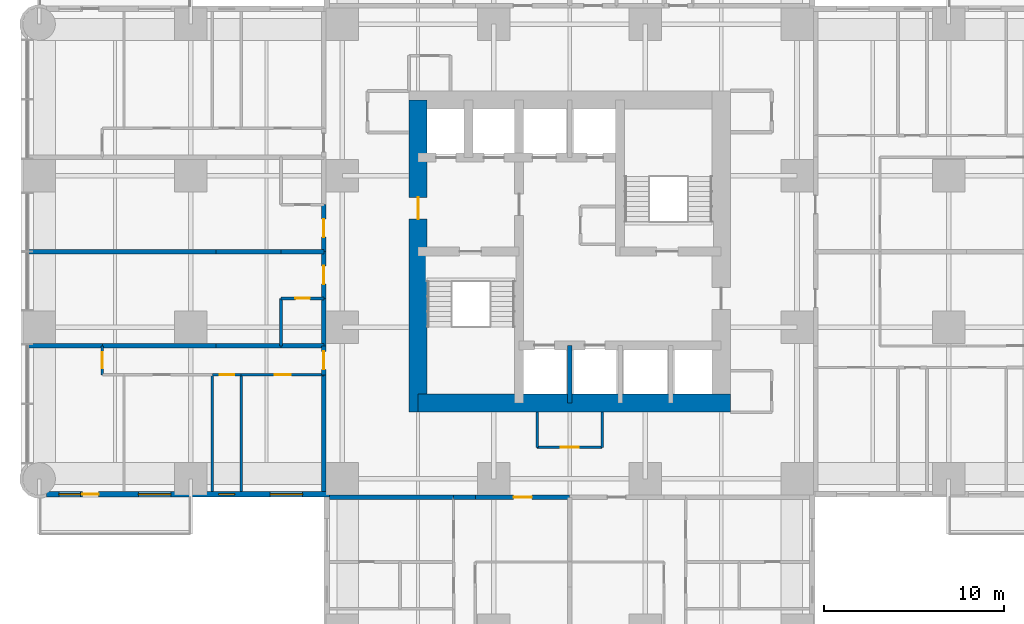
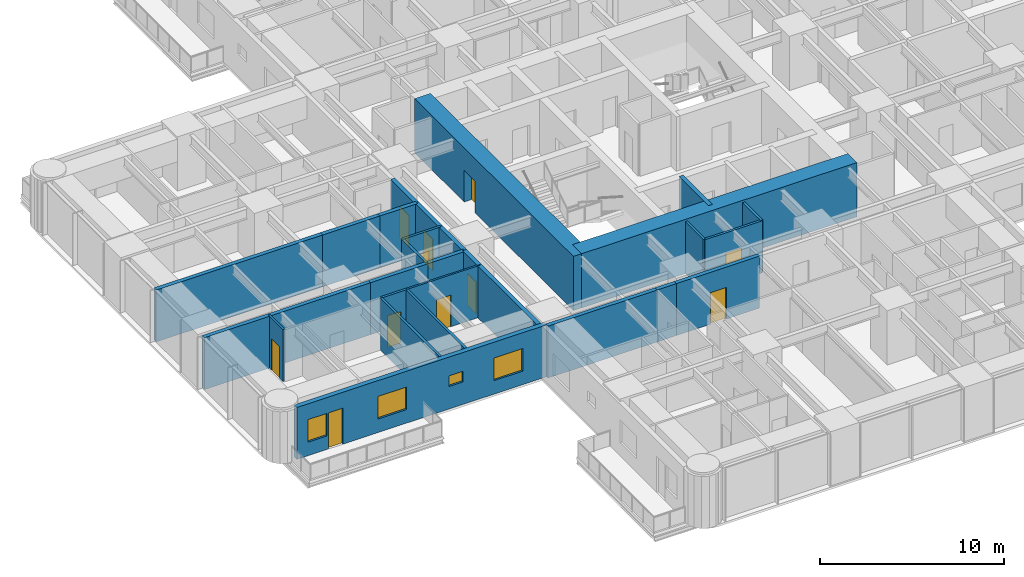
# One storey, part 8 of 17: 29 walls, 11 doors, 4 windows, 15 openings.
"""IFC4 building model written with IfcOpenShell, lengths in metres."""

from ifc_helpers import new_model, si_unit, direction, frame, frame_2d, origin, place, context, subcontext, project, spatial, rectangle, extrude, material, layer, layer_set, type_object, element, fill, save


model = new_model("IFC4")

# Units and contexts
model_context = context("Model", 3, precision=1e-05, world=origin(), true_north=direction((0.0, 1.0)))
body_context = subcontext(model_context, "Body", "Model", "MODEL_VIEW")
ifc_project = project(units=[si_unit("LENGTHUNIT", "METRE"), si_unit("AREAUNIT", "SQUARE_METRE"), si_unit("VOLUMEUNIT", "CUBIC_METRE"), si_unit("PLANEANGLEUNIT", "RADIAN"), si_unit("MASSUNIT", "GRAM", prefix="KILO")], contexts=[model_context])

# Site, building, storey
site_placement = place(None, origin())
site = spatial("IfcSite", under=ifc_project, at=site_placement, CompositionType="ELEMENT")
building_placement = place(site_placement, origin())
building = spatial("IfcBuilding", under=site, at=building_placement, Name="Torre Alcanfor", CompositionType="ELEMENT")
storey_placement = place(building_placement, frame((0.0, 0.0, 63.300048828125)))
storey = spatial("IfcBuildingStorey", under=building, at=storey_placement, Name="L15", CompositionType="ELEMENT", Elevation=63.300048828125)

# Wall, opening, door
ifc_material_1 = material(Name="Concrete block masonry, hollow blocks NMX-C-404 9 MPa", Category="masonry")
ifc_layer_1 = layer(ifc_material_1, 0.25)
ifc_layer_set_1 = layer_set([ifc_layer_1], Name="Apartment entrance wall 250 EI 60")
wall_type_1 = type_object("IfcWallType", Name="Apartment entrance wall 250 EI 60", PredefinedType="PARTITIONING", material=ifc_layer_set_1)
wall_1_placement = place(storey_placement, frame((29.39990234375, 15.77490234375, 0.0), z_axis=(0.0, 0.0, 1.0), x_axis=(-1.0, 0.0, 0.0)))
wall_1 = element("IfcWall", 1, at=wall_1_placement, inside=storey, type_object=wall_type_1, Name="Partition L15-CORR / L15-S2-ZAG", PredefinedType="PARTITIONING", context=body_context, shape_type="SweptSolid", body=[
    extrude(rectangle(XDim=5.22900390625, YDim=0.25, at=frame_2d((2.614501953125, 0.0))), origin(), (0.0, 0.0, 1.0), 3.449951171875),
])
opening_1_placement = place(wall_1_placement, frame((2.10009765625, 0.0, 0.0)))
opening_1 = element("IfcOpeningElement", 2, at=opening_1_placement, cuts=wall_1, Name="Opening D-A1", PredefinedType="OPENING", context=body_context, shape_type="SweptSolid", body=[
    extrude(rectangle(XDim=1.0, YDim=2.10009765625, at=frame_2d((0.5, 1.050048828125))), frame((0.0, 0.135009765625, 0.0), z_axis=(0.0, -1.0, 0.0), x_axis=(1.0, 0.0, 0.0)), (0.0, 0.0, 1.0), 0.27001953125),
])
ifc_material_2 = material(Name="Galvanised steel sheet ASTM A653", Category="steel")
door_type_1 = type_object("IfcDoorType", Name="Apartment entrance door FD60 1000x2100", OperationType="SINGLE_SWING_LEFT", PredefinedType="DOOR", material=ifc_material_2)
door_1_placement = place(opening_1_placement, origin())
door_1 = element("IfcDoor", 3, at=door_1_placement, inside=storey, type_object=door_type_1, Name="Apartment entrance L15-S2", OperationType="SINGLE_SWING_LEFT", OverallHeight=2.10009765625, OverallWidth=1.0, PredefinedType="DOOR", context=body_context, shape_type="SweptSolid", body=[
    extrude(rectangle(XDim=1.0, YDim=2.10009765625, at=frame_2d((0.5, 1.050048828125))), frame((0.0, 0.02490234375, 0.0), z_axis=(0.0, -1.0, 0.0), x_axis=(1.0, 0.0, 0.0)), (0.0, 0.0, 1.0), 0.050048828125),
])
fill(opening_1, door_1)

# Walls
wall_2_placement = place(storey_placement, frame((24.1708984375, 15.77490234375, 0.0), z_axis=(0.0, 0.0, 1.0), x_axis=(-1.0, 0.0, 0.0)))
element("IfcWall", 4, at=wall_2_placement, inside=storey, type_object=wall_type_1, Name="Partition L15-CORR / L15-S2-HALL", PredefinedType="PARTITIONING", context=body_context, shape_type="SweptSolid", body=[
    extrude(rectangle(XDim=1.199951171875, YDim=0.25, at=frame_2d((0.60009765625, 0.0))), origin(), (0.0, 0.0, 1.0), 3.449951171875),
])
wall_3_placement = place(storey_placement, frame((22.970947265625, 15.77490234375, 0.0), z_axis=(0.0, 0.0, 1.0), x_axis=(-1.0, 0.0, 0.0)))
element("IfcWall", 5, at=wall_3_placement, inside=storey, type_object=wall_type_1, Name="Partition L15-CORR / L15-S2-SERV", PredefinedType="PARTITIONING", context=body_context, shape_type="SweptSolid", body=[
    extrude(rectangle(XDim=6.870849609375, YDim=0.25, at=frame_2d((3.435546875, 0.0))), origin(), (0.0, 0.0, 1.0), 3.449951171875),
])

# Wall, opening, door
wall_4_placement = place(storey_placement, frame((15.77490234375, 26.800048828125, 0.0), z_axis=(0.0, 0.0, 1.0), x_axis=(0.0, 1.0, 0.0)))
wall_4 = element("IfcWall", 6, at=wall_4_placement, inside=storey, type_object=wall_type_1, Name="Partition L15-CORR / L15-W1A-FOYER", PredefinedType="PARTITIONING", context=body_context, shape_type="SweptSolid", body=[
    extrude(rectangle(XDim=2.599853515625, YDim=0.25, at=frame_2d((1.2998046875, 0.0))), origin(), (0.0, 0.0, 1.0), 3.449951171875),
])
opening_2_placement = place(wall_4_placement, frame((0.800048828125, 0.0, 0.0)))
opening_2 = element("IfcOpeningElement", 7, at=opening_2_placement, cuts=wall_4, Name="Opening D-A1", PredefinedType="OPENING", context=body_context, shape_type="SweptSolid", body=[
    extrude(rectangle(XDim=1.0, YDim=2.10009765625, at=frame_2d((0.5, 1.050048828125))), frame((0.0, 0.135009765625, 0.0), z_axis=(0.0, -1.0, 0.0), x_axis=(1.0, 0.0, 0.0)), (0.0, 0.0, 1.0), 0.27001953125),
])
door_2_placement = place(opening_2_placement, origin())
door_2 = element("IfcDoor", 8, at=door_2_placement, inside=storey, type_object=door_type_1, Name="Apartment entrance L15-W1A", OperationType="SINGLE_SWING_LEFT", OverallHeight=2.10009765625, OverallWidth=1.0, PredefinedType="DOOR", context=body_context, shape_type="SweptSolid", body=[
    extrude(rectangle(XDim=1.0, YDim=2.10009765625, at=frame_2d((0.5, 1.050048828125))), frame((0.0, 0.02490234375, 0.0), z_axis=(0.0, -1.0, 0.0), x_axis=(1.0, 0.0, 0.0)), (0.0, 0.0, 1.0), 0.050048828125),
])
fill(opening_2, door_2)

# Wall
wall_5_placement = place(storey_placement, frame((15.77490234375, 24.1708984375, 0.0), z_axis=(0.0, 0.0, 1.0), x_axis=(0.0, 1.0, 0.0)))
element("IfcWall", 9, at=wall_5_placement, inside=storey, type_object=wall_type_1, Name="Partition L15-CORR / L15-W1A-BATH", PredefinedType="PARTITIONING", context=body_context, shape_type="SweptSolid", body=[
    extrude(rectangle(XDim=2.629150390625, YDim=0.25, at=frame_2d((1.314453125, 0.0))), origin(), (0.0, 0.0, 1.0), 3.449951171875),
])

# Wall, opening, door
wall_6_placement = place(storey_placement, frame((15.77490234375, 22.571044921875, 0.0), z_axis=(0.0, 0.0, 1.0), x_axis=(0.0, 1.0, 0.0)))
wall_6 = element("IfcWall", 10, at=wall_6_placement, inside=storey, type_object=wall_type_1, Name="Partition L15-CORR / L15-W1B-HALL", PredefinedType="PARTITIONING", context=body_context, shape_type="SweptSolid", body=[
    extrude(rectangle(XDim=1.599853515625, YDim=0.25, at=frame_2d((0.7998046875, 0.0))), origin(), (0.0, 0.0, 1.0), 3.449951171875),
])
opening_3_placement = place(wall_6_placement, frame((0.300048828125, 0.0, 0.0)))
opening_3 = element("IfcOpeningElement", 11, at=opening_3_placement, cuts=wall_6, Name="Opening D-A1", PredefinedType="OPENING", context=body_context, shape_type="SweptSolid", body=[
    extrude(rectangle(XDim=1.0, YDim=2.10009765625, at=frame_2d((0.5, 1.050048828125))), frame((0.0, 0.135009765625, 0.0), z_axis=(0.0, -1.0, 0.0), x_axis=(1.0, 0.0, 0.0)), (0.0, 0.0, 1.0), 0.27001953125),
])
door_3_placement = place(opening_3_placement, origin())
door_3 = element("IfcDoor", 12, at=door_3_placement, inside=storey, type_object=door_type_1, Name="Apartment entrance L15-W1B", OperationType="SINGLE_SWING_LEFT", OverallHeight=2.10009765625, OverallWidth=1.0, PredefinedType="DOOR", context=body_context, shape_type="SweptSolid", body=[
    extrude(rectangle(XDim=1.0, YDim=2.10009765625, at=frame_2d((0.5, 1.050048828125))), frame((0.0, 0.02490234375, 0.0), z_axis=(0.0, -1.0, 0.0), x_axis=(1.0, 0.0, 0.0)), (0.0, 0.0, 1.0), 0.050048828125),
])
fill(opening_3, door_3)

# Wall
wall_7_placement = place(storey_placement, frame((15.77490234375, 16.10009765625, 0.0), z_axis=(0.0, 0.0, 1.0), x_axis=(0.0, 1.0, 0.0)))
element("IfcWall", 13, at=wall_7_placement, inside=storey, type_object=wall_type_1, Name="Partition L15-CORR / L15-W1B-BED2", PredefinedType="PARTITIONING", context=body_context, shape_type="SweptSolid", body=[
    extrude(rectangle(XDim=6.470947265625, YDim=0.25, at=frame_2d((3.2353515625, 0.0))), origin(), (0.0, 0.0, 1.0), 3.449951171875),
])

# Wall, opening, door
wall_8_placement = place(storey_placement, frame((15.77490234375, 29.39990234375, 0.0), z_axis=(0.0, 0.0, 1.0), x_axis=(0.0, 1.0, 0.0)))
wall_8 = element("IfcWall", 14, at=wall_8_placement, inside=storey, type_object=wall_type_1, Name="Partition L15-CORR / L15-W2A-FOYER", PredefinedType="PARTITIONING", context=body_context, shape_type="SweptSolid", body=[
    extrude(rectangle(XDim=2.60009765625, YDim=0.25, at=frame_2d((1.300048828125, 0.0))), origin(), (0.0, 0.0, 1.0), 3.449951171875),
])
opening_4_placement = place(wall_8_placement, frame((0.800048828125, 0.0, 0.0)))
opening_4 = element("IfcOpeningElement", 15, at=opening_4_placement, cuts=wall_8, Name="Opening D-A1", PredefinedType="OPENING", context=body_context, shape_type="SweptSolid", body=[
    extrude(rectangle(XDim=1.0, YDim=2.10009765625, at=frame_2d((0.5, 1.050048828125))), frame((0.0, 0.135009765625, 0.0), z_axis=(0.0, -1.0, 0.0), x_axis=(1.0, 0.0, 0.0)), (0.0, 0.0, 1.0), 0.27001953125),
])
door_4_placement = place(opening_4_placement, origin())
door_4 = element("IfcDoor", 16, at=door_4_placement, inside=storey, type_object=door_type_1, Name="Apartment entrance L15-W2A", OperationType="SINGLE_SWING_LEFT", OverallHeight=2.10009765625, OverallWidth=1.0, PredefinedType="DOOR", context=body_context, shape_type="SweptSolid", body=[
    extrude(rectangle(XDim=1.0, YDim=2.10009765625, at=frame_2d((0.5, 1.050048828125))), frame((0.0, 0.02490234375, 0.0), z_axis=(0.0, -1.0, 0.0), x_axis=(1.0, 0.0, 0.0)), (0.0, 0.0, 1.0), 0.050048828125),
])
fill(opening_4, door_4)

ifc_material_3 = material(Name="Gypsum board on steel studs", Category="steel")
ifc_layer_2 = layer(ifc_material_3, 0.1201171875)
ifc_layer_set_2 = layer_set([ifc_layer_2], Name="Apartment partition 120")
wall_type_2 = type_object("IfcWallType", Name="Apartment partition 120", PredefinedType="PARTITIONING", material=ifc_layer_set_2)
wall_9_placement = place(storey_placement, frame((11.199951171875, 22.571044921875, 0.0), z_axis=(0.0, 0.0, 1.0), x_axis=(1.0, 0.0, 0.0)))
wall_9 = element("IfcWall", 17, at=wall_9_placement, inside=storey, type_object=wall_type_2, Name="Partition L15-W1B-HALL / L15-W1B-BED2", PredefinedType="PARTITIONING", context=body_context, shape_type="SweptSolid", body=[
    extrude(rectangle(XDim=4.574951171875, YDim=0.1201171875, at=frame_2d((2.28759765625, 0.0))), origin(), (0.0, 0.0, 1.0), 3.449951171875),
])
opening_5_placement = place(wall_9_placement, frame((1.85009765625, 0.0, 0.0)))
opening_5 = element("IfcOpeningElement", 18, at=opening_5_placement, cuts=wall_9, Name="Opening D-R1", PredefinedType="OPENING", context=body_context, shape_type="SweptSolid", body=[
    extrude(rectangle(XDim=0.89990234375, YDim=2.10009765625, at=frame_2d((0.449951171875, 1.050048828125))), frame((0.0, 0.070068359375, 0.0), z_axis=(0.0, -1.0, 0.0), x_axis=(1.0, 0.0, 0.0)), (0.0, 0.0, 1.0), 0.14013671875),
])
ifc_material_4 = material(Name="Timber", Category="wood")
door_type_2 = type_object("IfcDoorType", Name="Internal door 900x2100", OperationType="SINGLE_SWING_LEFT", PredefinedType="DOOR", material=ifc_material_4)
door_5_placement = place(opening_5_placement, frame((0.89990234375, 0.0, 0.0), z_axis=(0.0, 0.0, 1.0), x_axis=(-1.0, 0.0, 0.0)))
door_5 = element("IfcDoor", 19, at=door_5_placement, inside=storey, type_object=door_type_2, Name="Door L15-W1B bed2", OperationType="SINGLE_SWING_LEFT", OverallHeight=2.10009765625, OverallWidth=0.89990234375, PredefinedType="DOOR", context=body_context, shape_type="SweptSolid", body=[
    extrude(rectangle(XDim=0.89990234375, YDim=2.10009765625, at=frame_2d((0.449951171875, 1.050048828125))), frame((0.0, 0.025146484375, 0.0), z_axis=(0.0, -1.0, 0.0), x_axis=(1.0, 0.0, 0.0)), (0.0, 0.0, 1.0), 0.050048828125),
])
fill(opening_5, door_5)

wall_10_placement = place(storey_placement, frame((3.5, 24.1708984375, 0.0), z_axis=(0.0, 0.0, 1.0), x_axis=(0.0, -1.0, 0.0)))
wall_10 = element("IfcWall", 20, at=wall_10_placement, inside=storey, type_object=wall_type_2, Name="Partition L15-W1B-HALL / L15-W1B-LIVING", PredefinedType="PARTITIONING", context=body_context, shape_type="SweptSolid", body=[
    extrude(rectangle(XDim=1.599853515625, YDim=0.1201171875, at=frame_2d((0.7998046875, 0.0))), origin(), (0.0, 0.0, 1.0), 3.449951171875),
])
opening_6_placement = place(wall_10_placement, frame((0.35009765625, 0.0, 0.0)))
opening_6 = element("IfcOpeningElement", 21, at=opening_6_placement, cuts=wall_10, Name="Opening D-R1", PredefinedType="OPENING", context=body_context, shape_type="SweptSolid", body=[
    extrude(rectangle(XDim=0.89990234375, YDim=2.10009765625, at=frame_2d((0.449951171875, 1.050048828125))), frame((0.0, 0.070068359375, 0.0), z_axis=(0.0, -1.0, 0.0), x_axis=(1.0, 0.0, 0.0)), (0.0, 0.0, 1.0), 0.14013671875),
])
door_6_placement = place(opening_6_placement, frame((0.89990234375, 0.0, 0.0), z_axis=(0.0, 0.0, 1.0), x_axis=(-1.0, 0.0, 0.0)))
door_6 = element("IfcDoor", 22, at=door_6_placement, inside=storey, type_object=door_type_2, Name="Door L15-W1B living", OperationType="SINGLE_SWING_RIGHT", OverallHeight=2.10009765625, OverallWidth=0.89990234375, PredefinedType="DOOR", context=body_context, shape_type="SweptSolid", body=[
    extrude(rectangle(XDim=0.89990234375, YDim=2.10009765625, at=frame_2d((0.449951171875, 1.050048828125))), frame((0.0, 0.025146484375, 0.0), z_axis=(0.0, -1.0, 0.0), x_axis=(1.0, 0.0, 0.0)), (0.0, 0.0, 1.0), 0.050048828125),
])
fill(opening_6, door_6)

# Walls
ifc_material_5 = material(Name="Concrete f'c 70 MPa", Category="concrete")
ifc_layer_3 = layer(ifc_material_5, 0.25)
ifc_layer_set_3 = layer_set([ifc_layer_3], Name="Core shaft wall 250 f'c70")
wall_type_3 = type_object("IfcWallType", Name="Core shaft wall 250 f'c70", PredefinedType="SHEAR", material=ifc_layer_set_3)
wall_11_placement = place(storey_placement, frame((29.39990234375, 21.0, 0.0), z_axis=(0.0, 0.0, 1.0), x_axis=(0.0, 1.0, 0.0)))
element("IfcWall", 23, at=wall_11_placement, inside=storey, type_object=wall_type_3, Name="Core wall X294S L15", PredefinedType="SHEAR", context=body_context, shape_type="SweptSolid", body=[
    extrude(rectangle(XDim=3.199951171875, YDim=0.25, at=frame_2d((1.60009765625, 0.0))), origin(), (0.0, 0.0, 1.0), 3.599853515625),
])
ifc_material_6 = material(Name="Concrete f'c 70 MPa", Category="concrete")
ifc_layer_4 = layer(ifc_material_6, 1.0)
ifc_layer_set_4 = layer_set([ifc_layer_4], Name="Core wall 1000 f'c70")
wall_type_4 = type_object("IfcWallType", Name="Core wall 1000 f'c70", PredefinedType="SHEAR", material=ifc_layer_set_4)
wall_12_placement = place(storey_placement, frame((21.0, 21.0, 0.0), z_axis=(0.0, 0.0, 1.0), x_axis=(1.0, 0.0, 0.0)))
element("IfcWall", 24, at=wall_12_placement, inside=storey, type_object=wall_type_4, Name="Core wall OUT-S L15", PredefinedType="SHEAR", context=body_context, shape_type="SweptSolid", body=[
    extrude(rectangle(XDim=17.300048828125, YDim=1.0, at=frame_2d((8.64990234375, 0.0))), origin(), (0.0, 0.0, 1.0), 3.599853515625),
])

# Wall, opening, door
wall_13_placement = place(storey_placement, frame((21.0, 37.800048828125, 0.0), z_axis=(0.0, 0.0, 1.0), x_axis=(0.0, -1.0, 0.0)))
wall_13 = element("IfcWall", 25, at=wall_13_placement, inside=storey, type_object=wall_type_4, Name="Core wall OUT-W L15", PredefinedType="SHEAR", context=body_context, shape_type="SweptSolid", body=[
    extrude(rectangle(XDim=17.300048828125, YDim=1.0, at=frame_2d((8.64990234375, 0.0))), origin(), (0.0, 0.0, 1.0), 3.599853515625),
])
opening_7_placement = place(wall_13_placement, frame((5.39990234375, 0.0, 0.0)))
opening_7 = element("IfcOpeningElement", 26, at=opening_7_placement, cuts=wall_13, Name="Opening D-L1", PredefinedType="OPENING", context=body_context, shape_type="SweptSolid", body=[
    extrude(rectangle(XDim=1.199951171875, YDim=2.10009765625, at=frame_2d((0.60009765625, 1.050048828125))), frame((0.0, 0.510009765625, 0.0), z_axis=(0.0, -1.0, 0.0), x_axis=(1.0, 0.0, 0.0)), (0.0, 0.0, 1.0), 1.02001953125),
])
ifc_material_7 = material(Name="Galvanised steel sheet ASTM A653", Category="steel")
door_type_3 = type_object("IfcDoorType", Name="Lobby door FD120 1200x2100", OperationType="SINGLE_SWING_LEFT", PredefinedType="DOOR", material=ifc_material_7)
door_7_placement = place(opening_7_placement, origin())
door_7 = element("IfcDoor", 27, at=door_7_placement, inside=storey, type_object=door_type_3, Name="Firefighting lobby door L15", OperationType="SINGLE_SWING_LEFT", OverallHeight=2.10009765625, OverallWidth=1.199951171875, PredefinedType="DOOR", context=body_context, shape_type="SweptSolid", body=[
    extrude(rectangle(XDim=1.199951171875, YDim=2.10009765625, at=frame_2d((0.60009765625, 1.050048828125))), frame((0.0, 0.02490234375, 0.0), z_axis=(0.0, -1.0, 0.0), x_axis=(1.0, 0.0, 0.0)), (0.0, 0.0, 1.0), 0.050048828125),
])
fill(opening_7, door_7)

# Wall, openings, door, windows
ifc_material_8 = material(Name="Limestone cladding", Category="masonry")
ifc_layer_5 = layer(ifc_material_8, 0.0400390625, Name="Facing")
ifc_material_9 = material(Name="Ventilated air cavity")
ifc_layer_6 = layer(ifc_material_9, 0.02001953125, ventilated=True, Name="Ventilated joint")
ifc_material_10 = material(Name="Mineral wool insulation", Category="insulation")
ifc_layer_7 = layer(ifc_material_10, 0.10009765625, Name="Insulation")
ifc_material_11 = material(Name="Concrete f'c 35 MPa", Category="concrete")
ifc_layer_8 = layer(ifc_material_11, 0.139892578125, Name="Backing")
ifc_layer_set_5 = layer_set([ifc_layer_5, ifc_layer_6, ifc_layer_7, ifc_layer_8], Name="External wall stone-clad 300")
wall_type_5 = type_object("IfcWallType", Name="External wall stone-clad 300", PredefinedType="SOLIDWALL", material=ifc_layer_set_5)
wall_14_placement = place(storey_placement, frame((0.39990234375, 15.949951171875, 0.0), z_axis=(0.0, 0.0, 1.0), x_axis=(1.0, 0.0, 0.0)))
wall_14 = element("IfcWall", 28, at=wall_14_placement, inside=storey, type_object=wall_type_5, Name="External wall L15 3", PredefinedType="SOLIDWALL", context=body_context, shape_type="SweptSolid", body=[
    extrude(rectangle(XDim=15.7001953125, YDim=0.300048828125, at=frame_2d((7.85009765625, 0.0))), origin(), (0.0, 0.0, 1.0), 3.449951171875),
])
opening_8_placement = place(wall_14_placement, frame((12.39990234375, 0.0, 0.89990234375)))
opening_8 = element("IfcOpeningElement", 29, at=opening_8_placement, cuts=wall_14, Name="Opening W2", PredefinedType="OPENING", context=body_context, shape_type="SweptSolid", body=[
    extrude(rectangle(XDim=1.800048828125, YDim=1.5, at=frame_2d((0.89990234375, 0.75))), frame((0.0, 0.159912109375, 0.0), z_axis=(0.0, -1.0, 0.0), x_axis=(1.0, 0.0, 0.0)), (0.0, 0.0, 1.0), 0.320068359375),
])
opening_9_placement = place(wall_14_placement, frame((9.550048828125, 0.0, 1.5)))
opening_9 = element("IfcOpeningElement", 30, at=opening_9_placement, cuts=wall_14, Name="Opening W3", PredefinedType="OPENING", context=body_context, shape_type="SweptSolid", body=[
    extrude(rectangle(XDim=0.89990234375, YDim=0.699951171875, at=frame_2d((0.449951171875, 0.35009765625))), frame((0.0, 0.159912109375, 0.0), z_axis=(0.0, -1.0, 0.0), x_axis=(1.0, 0.0, 0.0)), (0.0, 0.0, 1.0), 0.320068359375),
])
opening_10_placement = place(wall_14_placement, frame((5.10009765625, 0.0, 0.89990234375)))
opening_10 = element("IfcOpeningElement", 31, at=opening_10_placement, cuts=wall_14, Name="Opening W2", PredefinedType="OPENING", context=body_context, shape_type="SweptSolid", body=[
    extrude(rectangle(XDim=1.800048828125, YDim=1.5, at=frame_2d((0.89990234375, 0.75))), frame((0.0, 0.159912109375, 0.0), z_axis=(0.0, -1.0, 0.0), x_axis=(1.0, 0.0, 0.0)), (0.0, 0.0, 1.0), 0.320068359375),
])
opening_11_placement = place(wall_14_placement, frame((2.0, 0.0, 0.0)))
opening_11 = element("IfcOpeningElement", 32, at=opening_11_placement, cuts=wall_14, Name="Opening D-B1", PredefinedType="OPENING", context=body_context, shape_type="SweptSolid", body=[
    extrude(rectangle(XDim=0.89990234375, YDim=2.39990234375, at=frame_2d((0.449951171875, 1.199951171875))), frame((0.0, 0.159912109375, 0.0), z_axis=(0.0, -1.0, 0.0), x_axis=(1.0, 0.0, 0.0)), (0.0, 0.0, 1.0), 0.320068359375),
])
opening_12_placement = place(wall_14_placement, frame((0.699951171875, 0.0, 0.89990234375)))
opening_12 = element("IfcOpeningElement", 33, at=opening_12_placement, cuts=wall_14, Name="Opening W4", PredefinedType="OPENING", context=body_context, shape_type="SweptSolid", body=[
    extrude(rectangle(XDim=1.199951171875, YDim=1.5, at=frame_2d((0.60009765625, 0.75))), frame((0.0, 0.159912109375, 0.0), z_axis=(0.0, -1.0, 0.0), x_axis=(1.0, 0.0, 0.0)), (0.0, 0.0, 1.0), 0.320068359375),
])
ifc_material_12 = material(Name="Aluminium and glass", Category="aluminium")
door_type_4 = type_object("IfcDoorType", Name="Balcony door glazed 900x2400", OperationType="SINGLE_SWING_LEFT", PredefinedType="DOOR", material=ifc_material_12)
door_8_placement = place(opening_11_placement, origin())
door_8 = element("IfcDoor", 34, at=door_8_placement, inside=storey, type_object=door_type_4, Name="Balcony door L15-W1", OperationType="SINGLE_SWING_RIGHT", OverallHeight=2.39990234375, OverallWidth=0.89990234375, PredefinedType="DOOR", context=body_context, shape_type="SweptSolid", body=[
    extrude(rectangle(XDim=0.89990234375, YDim=2.39990234375, at=frame_2d((0.449951171875, 1.199951171875))), frame((0.0, 0.02490234375, 0.0), z_axis=(0.0, -1.0, 0.0), x_axis=(1.0, 0.0, 0.0)), (0.0, 0.0, 1.0), 0.050048828125),
])
fill(opening_11, door_8)
ifc_material_13 = material(Name="Aluminium frame with clear double glazing", Category="aluminium")
window_type_1 = type_object("IfcWindowType", Name="Window bathroom 900x700", PartitioningType="SINGLE_PANEL", PredefinedType="WINDOW", material=ifc_material_13)
window_1_placement = place(opening_9_placement, origin())
window_1 = element("IfcWindow", 35, at=window_1_placement, inside=storey, type_object=window_type_1, Name="Window W3 L15-W1", OverallHeight=0.699951171875, OverallWidth=0.89990234375, PartitioningType="SINGLE_PANEL", PredefinedType="WINDOW", context=body_context, shape_type="SweptSolid", body=[
    extrude(rectangle(XDim=0.89990234375, YDim=0.699951171875, at=frame_2d((0.449951171875, 0.35009765625))), frame((0.0, 0.030029296875, 0.0), z_axis=(0.0, -1.0, 0.0), x_axis=(1.0, 0.0, 0.0)), (0.0, 0.0, 1.0), 0.06005859375),
])
fill(opening_9, window_1)
ifc_material_14 = material(Name="Aluminium frame with clear double glazing", Category="aluminium")
window_type_2 = type_object("IfcWindowType", Name="Window bedroom 1200x1500", PartitioningType="SINGLE_PANEL", PredefinedType="WINDOW", material=ifc_material_14)
window_2_placement = place(opening_12_placement, origin())
window_2 = element("IfcWindow", 36, at=window_2_placement, inside=storey, type_object=window_type_2, Name="Window W4 L15-W1", OverallHeight=1.5, OverallWidth=1.199951171875, PartitioningType="SINGLE_PANEL", PredefinedType="WINDOW", context=body_context, shape_type="SweptSolid", body=[
    extrude(rectangle(XDim=1.199951171875, YDim=1.5, at=frame_2d((0.60009765625, 0.75))), frame((0.0, 0.030029296875, 0.0), z_axis=(0.0, -1.0, 0.0), x_axis=(1.0, 0.0, 0.0)), (0.0, 0.0, 1.0), 0.06005859375),
])
fill(opening_12, window_2)
ifc_material_15 = material(Name="Aluminium frame with clear double glazing", Category="aluminium")
window_type_3 = type_object("IfcWindowType", Name="Window bedroom 1800x1500", PartitioningType="SINGLE_PANEL", PredefinedType="WINDOW", material=ifc_material_15)
window_3_placement = place(opening_8_placement, origin())
window_3 = element("IfcWindow", 37, at=window_3_placement, inside=storey, type_object=window_type_3, Name="Window W2 L15-W1", OverallHeight=1.5, OverallWidth=1.800048828125, PartitioningType="SINGLE_PANEL", PredefinedType="WINDOW", context=body_context, shape_type="SweptSolid", body=[
    extrude(rectangle(XDim=1.800048828125, YDim=1.5, at=frame_2d((0.89990234375, 0.75))), frame((0.0, 0.030029296875, 0.0), z_axis=(0.0, -1.0, 0.0), x_axis=(1.0, 0.0, 0.0)), (0.0, 0.0, 1.0), 0.06005859375),
])
fill(opening_8, window_3)
window_4_placement = place(opening_10_placement, origin())
window_4 = element("IfcWindow", 38, at=window_4_placement, inside=storey, type_object=window_type_3, Name="Window W2 L15-W1", OverallHeight=1.5, OverallWidth=1.800048828125, PartitioningType="SINGLE_PANEL", PredefinedType="WINDOW", context=body_context, shape_type="SweptSolid", body=[
    extrude(rectangle(XDim=1.800048828125, YDim=1.5, at=frame_2d((0.89990234375, 0.75))), frame((0.0, 0.030029296875, 0.0), z_axis=(0.0, -1.0, 0.0), x_axis=(1.0, 0.0, 0.0)), (0.0, 0.0, 1.0), 0.06005859375),
])
fill(opening_10, window_4)

# Walls
ifc_material_16 = material(Name="Concrete block masonry, hollow blocks NMX-C-404 9 MPa", Category="masonry")
ifc_layer_9 = layer(ifc_material_16, 0.25)
ifc_layer_set_6 = layer_set([ifc_layer_9], Name="Party wall 250 EI 60")
wall_type_6 = type_object("IfcWallType", Name="Party wall 250 EI 60", PredefinedType="PARTITIONING", material=ifc_layer_set_6)
for number, where, z_axis, x_axis, name in (
    (39, (15.77490234375, 29.39990234375, 0.0), (0.0, 0.0, 1.0), (-1.0, 0.0, 0.0), "Partition L15-W1A-FOYER / L15-W2A-FOYER"),
    (40, (13.39990234375, 24.1708984375, 0.0), (0.0, 0.0, 1.0), (1.0, 0.0, 0.0), "Partition L15-W1A-BATH / L15-W1B-HALL"),
):
    element("IfcWall", number, at=place(storey_placement, frame(where, z_axis=z_axis, x_axis=x_axis)), inside=storey, type_object=wall_type_6, Name=name, PredefinedType="PARTITIONING", context=body_context, shape_type="SweptSolid", body=[
        extrude(rectangle(XDim=2.375, YDim=0.25, at=frame_2d((1.1875, 0.0))), origin(), (0.0, 0.0, 1.0), 3.449951171875),
    ])
for number, where, z_axis, x_axis, name in (
    (41, (9.800048828125, 24.1708984375, 0.0), (0.0, 0.0, 1.0), (1.0, 0.0, 0.0), "Partition L15-W1A-KITCHEN / L15-W1B-HALL"),
    (42, (13.39990234375, 29.39990234375, 0.0), (0.0, 0.0, 1.0), (-1.0, 0.0, 0.0), "Partition L15-W1A-KITCHEN / L15-W2A-KITCHEN"),
):
    element("IfcWall", number, at=place(storey_placement, frame(where, z_axis=z_axis, x_axis=x_axis)), inside=storey, type_object=wall_type_6, Name=name, PredefinedType="PARTITIONING", context=body_context, shape_type="SweptSolid", body=[
        extrude(rectangle(XDim=3.599853515625, YDim=0.25, at=frame_2d((1.7998046875, 0.0))), origin(), (0.0, 0.0, 1.0), 3.449951171875),
    ])
wall_15_placement = place(storey_placement, frame((3.5, 24.1708984375, 0.0), z_axis=(0.0, 0.0, 1.0), x_axis=(1.0, 0.0, 0.0)))
element("IfcWall", 43, at=wall_15_placement, inside=storey, type_object=wall_type_6, Name="Partition L15-W1A-STUDIO / L15-W1B-HALL", PredefinedType="PARTITIONING", context=body_context, shape_type="SweptSolid", body=[
    extrude(rectangle(XDim=6.300048828125, YDim=0.25, at=frame_2d((3.14990234375, 0.0))), origin(), (0.0, 0.0, 1.0), 3.449951171875),
])
wall_16_placement = place(storey_placement, frame((-0.64990234375, 24.1708984375, 0.0), z_axis=(0.0, 0.0, 1.0), x_axis=(1.0, 0.0, 0.0)))
element("IfcWall", 44, at=wall_16_placement, inside=storey, type_object=wall_type_6, Name="Partition L15-W1A-STUDIO / L15-W1B-LIVING", PredefinedType="PARTITIONING", context=body_context, shape_type="SweptSolid", body=[
    extrude(rectangle(XDim=4.14990234375, YDim=0.25, at=frame_2d((2.074951171875, 0.0))), origin(), (0.0, 0.0, 1.0), 3.449951171875),
])
wall_17_placement = place(storey_placement, frame((9.800048828125, 29.39990234375, 0.0), z_axis=(0.0, 0.0, 1.0), x_axis=(-1.0, 0.0, 0.0)))
element("IfcWall", 45, at=wall_17_placement, inside=storey, type_object=wall_type_6, Name="Partition L15-W1A-STUDIO / L15-W2A-STUDIO", PredefinedType="PARTITIONING", context=body_context, shape_type="SweptSolid", body=[
    extrude(rectangle(XDim=10.449951171875, YDim=0.25, at=frame_2d((5.22509765625, 0.0))), origin(), (0.0, 0.0, 1.0), 3.449951171875),
])
ifc_material_17 = material(Name="Concrete block masonry, hollow blocks NMX-C-404 9 MPa", Category="masonry")
ifc_layer_10 = layer(ifc_material_17, 0.14990234375)
ifc_layer_set_7 = layer_set([ifc_layer_10], Name="Residents' room partition 150")
wall_type_7 = type_object("IfcWallType", Name="Residents' room partition 150", PredefinedType="PARTITIONING", material=ifc_layer_set_7)
wall_18_placement = place(storey_placement, frame((27.60009765625, 20.5, 0.0), z_axis=(0.0, 0.0, 1.0), x_axis=(0.0, -1.0, 0.0)))
element("IfcWall", 46, at=wall_18_placement, inside=storey, type_object=wall_type_7, Name="Partition L15-CORR / L15-G04", PredefinedType="PARTITIONING", context=body_context, shape_type="SweptSolid", body=[
    extrude(rectangle(XDim=1.949951171875, YDim=0.14990234375, at=frame_2d((0.97509765625, 0.0))), origin(), (0.0, 0.0, 1.0), 3.449951171875),
])

# Wall, opening, door
wall_19_placement = place(storey_placement, frame((27.60009765625, 18.550048828125, 0.0), z_axis=(0.0, 0.0, 1.0), x_axis=(1.0, 0.0, 0.0)))
wall_19 = element("IfcWall", 47, at=wall_19_placement, inside=storey, type_object=wall_type_7, Name="Partition L15-CORR / L15-G04", PredefinedType="PARTITIONING", context=body_context, shape_type="SweptSolid", body=[
    extrude(rectangle(XDim=3.599853515625, YDim=0.14990234375, at=frame_2d((1.7998046875, 0.0))), origin(), (0.0, 0.0, 1.0), 3.449951171875),
])
opening_13_placement = place(wall_19_placement, frame((1.300048828125, 0.0, 0.0)))
opening_13 = element("IfcOpeningElement", 48, at=opening_13_placement, cuts=wall_19, Name="Opening D-M1", PredefinedType="OPENING", context=body_context, shape_type="SweptSolid", body=[
    extrude(rectangle(XDim=1.0, YDim=2.10009765625, at=frame_2d((0.5, 1.050048828125))), frame((0.0, 0.0849609375, 0.0), z_axis=(0.0, -1.0, 0.0), x_axis=(1.0, 0.0, 0.0)), (0.0, 0.0, 1.0), 0.169921875),
])
ifc_material_18 = material(Name="Timber", Category="wood")
door_type_5 = type_object("IfcDoorType", Name="Residents' room door 1000x2100", OperationType="SINGLE_SWING_LEFT", PredefinedType="DOOR", material=ifc_material_18)
door_9_placement = place(opening_13_placement, origin())
door_9 = element("IfcDoor", 49, at=door_9_placement, inside=storey, type_object=door_type_5, Name="Door L15-G04 parcel room", OperationType="SINGLE_SWING_LEFT", OverallHeight=2.10009765625, OverallWidth=1.0, PredefinedType="DOOR", context=body_context, shape_type="SweptSolid", body=[
    extrude(rectangle(XDim=1.0, YDim=2.10009765625, at=frame_2d((0.5, 1.050048828125))), frame((0.0, 0.02490234375, 0.0), z_axis=(0.0, -1.0, 0.0), x_axis=(1.0, 0.0, 0.0)), (0.0, 0.0, 1.0), 0.050048828125),
])
fill(opening_13, door_9)

# Wall
wall_20_placement = place(storey_placement, frame((31.199951171875, 18.550048828125, 0.0), z_axis=(0.0, 0.0, 1.0), x_axis=(0.0, 1.0, 0.0)))
element("IfcWall", 50, at=wall_20_placement, inside=storey, type_object=wall_type_7, Name="Partition L15-CORR / L15-G04", PredefinedType="PARTITIONING", context=body_context, shape_type="SweptSolid", body=[
    extrude(rectangle(XDim=1.949951171875, YDim=0.14990234375, at=frame_2d((0.97509765625, 0.0))), origin(), (0.0, 0.0, 1.0), 3.449951171875),
])

# Wall, opening, door
ifc_material_19 = material(Name="Cement board on steel studs", Category="steel")
ifc_layer_11 = layer(ifc_material_19, 0.14990234375)
ifc_layer_set_8 = layer_set([ifc_layer_11], Name="Wet area partition 150")
wall_type_8 = type_object("IfcWallType", Name="Wet area partition 150", PredefinedType="PARTITIONING", material=ifc_layer_set_8)
wall_21_placement = place(storey_placement, frame((13.39990234375, 26.800048828125, 0.0), z_axis=(0.0, 0.0, 1.0), x_axis=(1.0, 0.0, 0.0)))
wall_21 = element("IfcWall", 51, at=wall_21_placement, inside=storey, type_object=wall_type_8, Name="Partition L15-W1A-FOYER / L15-W1A-BATH", PredefinedType="PARTITIONING", context=body_context, shape_type="SweptSolid", body=[
    extrude(rectangle(XDim=2.375, YDim=0.14990234375, at=frame_2d((1.1875, 0.0))), origin(), (0.0, 0.0, 1.0), 3.449951171875),
])
opening_14_placement = place(wall_21_placement, frame((0.800048828125, 0.0, 0.0)))
opening_14 = element("IfcOpeningElement", 52, at=opening_14_placement, cuts=wall_21, Name="Opening D-R2", PredefinedType="OPENING", context=body_context, shape_type="SweptSolid", body=[
    extrude(rectangle(XDim=0.800048828125, YDim=2.10009765625, at=frame_2d((0.39990234375, 1.050048828125))), frame((0.0, 0.0849609375, 0.0), z_axis=(0.0, -1.0, 0.0), x_axis=(1.0, 0.0, 0.0)), (0.0, 0.0, 1.0), 0.169921875),
])
ifc_material_20 = material(Name="Timber", Category="wood")
door_type_6 = type_object("IfcDoorType", Name="Bathroom door 800x2100", OperationType="SINGLE_SWING_LEFT", PredefinedType="DOOR", material=ifc_material_20)
door_10_placement = place(opening_14_placement, frame((0.800048828125, 0.0, 0.0), z_axis=(0.0, 0.0, 1.0), x_axis=(-1.0, 0.0, 0.0)))
door_10 = element("IfcDoor", 53, at=door_10_placement, inside=storey, type_object=door_type_6, Name="Door L15-W1A bath", OperationType="SINGLE_SWING_LEFT", OverallHeight=2.10009765625, OverallWidth=0.800048828125, PredefinedType="DOOR", context=body_context, shape_type="SweptSolid", body=[
    extrude(rectangle(XDim=0.800048828125, YDim=2.10009765625, at=frame_2d((0.400146484375, 1.050048828125))), frame((0.0, 0.025146484375, 0.0), z_axis=(0.0, -1.0, 0.0), x_axis=(1.0, 0.0, 0.0)), (0.0, 0.0, 1.0), 0.050048828125),
])
fill(opening_14, door_10)

# Wall
wall_22_placement = place(storey_placement, frame((13.39990234375, 26.800048828125, 0.0), z_axis=(0.0, 0.0, 1.0), x_axis=(0.0, -1.0, 0.0)))
element("IfcWall", 54, at=wall_22_placement, inside=storey, type_object=wall_type_8, Name="Partition L15-W1A-BATH / L15-W1A-KITCHEN", PredefinedType="PARTITIONING", context=body_context, shape_type="SweptSolid", body=[
    extrude(rectangle(XDim=2.629150390625, YDim=0.14990234375, at=frame_2d((1.314453125, 0.0))), origin(), (0.0, 0.0, 1.0), 3.449951171875),
])

# Wall, opening, door
wall_23_placement = place(storey_placement, frame((9.60009765625, 22.571044921875, 0.0), z_axis=(0.0, 0.0, 1.0), x_axis=(1.0, 0.0, 0.0)))
wall_23 = element("IfcWall", 55, at=wall_23_placement, inside=storey, type_object=wall_type_8, Name="Partition L15-W1B-HALL / L15-W1B-BATH", PredefinedType="PARTITIONING", context=body_context, shape_type="SweptSolid", body=[
    extrude(rectangle(XDim=1.599853515625, YDim=0.14990234375, at=frame_2d((0.7998046875, 0.0))), origin(), (0.0, 0.0, 1.0), 3.449951171875),
])
opening_15_placement = place(wall_23_placement, frame((0.39990234375, 0.0, 0.0)))
opening_15 = element("IfcOpeningElement", 56, at=opening_15_placement, cuts=wall_23, Name="Opening D-R2", PredefinedType="OPENING", context=body_context, shape_type="SweptSolid", body=[
    extrude(rectangle(XDim=0.800048828125, YDim=2.10009765625, at=frame_2d((0.39990234375, 1.050048828125))), frame((0.0, 0.0849609375, 0.0), z_axis=(0.0, -1.0, 0.0), x_axis=(1.0, 0.0, 0.0)), (0.0, 0.0, 1.0), 0.169921875),
])
door_11_placement = place(opening_15_placement, frame((0.800048828125, 0.0, 0.0), z_axis=(0.0, 0.0, 1.0), x_axis=(-1.0, 0.0, 0.0)))
door_11 = element("IfcDoor", 57, at=door_11_placement, inside=storey, type_object=door_type_6, Name="Door L15-W1B bath", OperationType="SINGLE_SWING_RIGHT", OverallHeight=2.10009765625, OverallWidth=0.800048828125, PredefinedType="DOOR", context=body_context, shape_type="SweptSolid", body=[
    extrude(rectangle(XDim=0.800048828125, YDim=2.10009765625, at=frame_2d((0.400146484375, 1.050048828125))), frame((0.0, 0.025146484375, 0.0), z_axis=(0.0, -1.0, 0.0), x_axis=(1.0, 0.0, 0.0)), (0.0, 0.0, 1.0), 0.050048828125),
])
fill(opening_15, door_11)

# Walls
for number, where, z_axis, x_axis, name in (
    (58, (11.199951171875, 22.571044921875, 0.0), (0.0, 0.0, 1.0), (0.0, -1.0, 0.0), "Partition L15-W1B-BED2 / L15-W1B-BATH"),
    (59, (9.60009765625, 22.571044921875, 0.0), (0.0, 0.0, 1.0), (0.0, -1.0, 0.0), "Partition L15-W1B-BATH / L15-W1B-MASTER"),
):
    element("IfcWall", number, at=place(storey_placement, frame(where, z_axis=z_axis, x_axis=x_axis)), inside=storey, type_object=wall_type_8, Name=name, PredefinedType="PARTITIONING", context=body_context, shape_type="SweptSolid", body=[
        extrude(rectangle(XDim=6.470947265625, YDim=0.14990234375, at=frame_2d((3.2353515625, 0.0))), origin(), (0.0, 0.0, 1.0), 3.449951171875),
    ])

save(model, "model.ifc")
